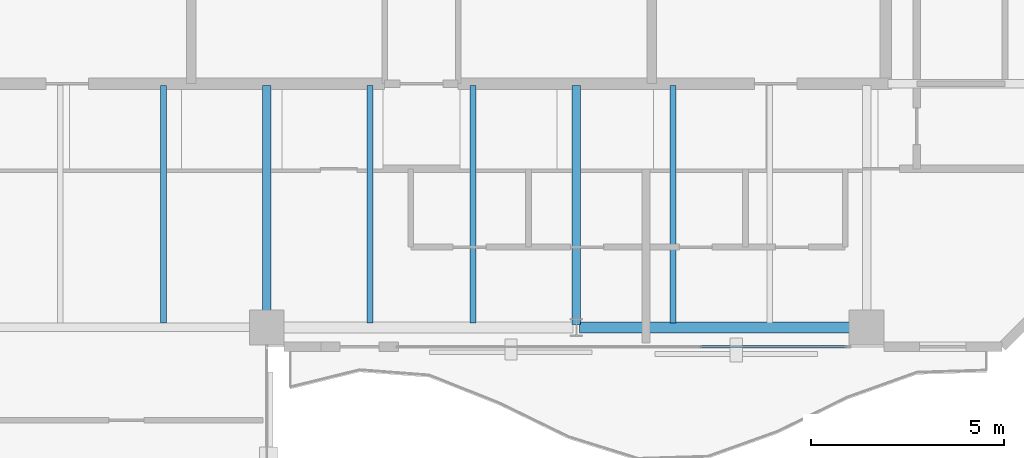
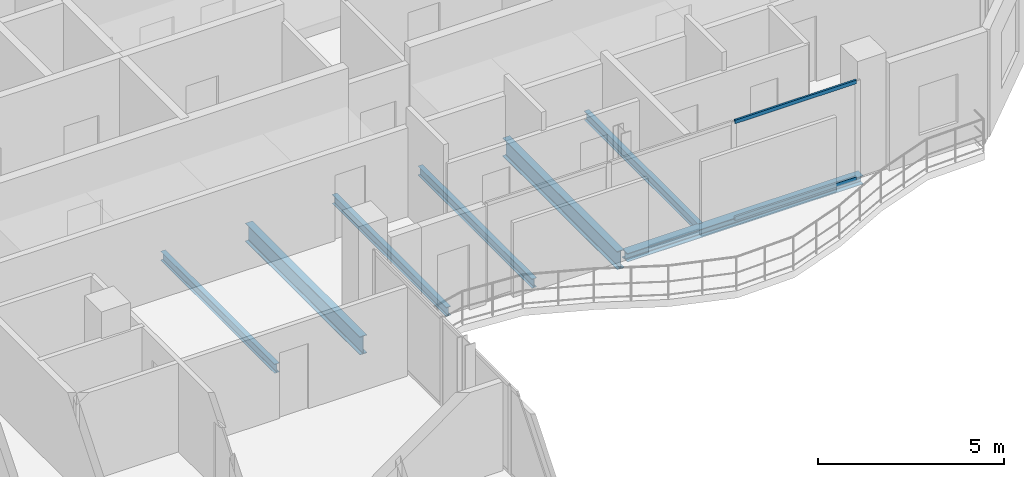
# One storey, part 13 of 22: 7 beams, 2 members, 1 element without a shape of its own.
"""IFC4 building model written with IfcOpenShell, lengths in metres."""

from ifc_helpers import new_model, si_unit, direction, frame, origin, origin_2d, place, context, subcontext, project, spatial, hollow_rectangle, i_section, extrude, material, layer, layer_set, material_profile, profile_set, type_object, element, aggregate, save


model = new_model("IFC4")

# Units and contexts
model_context = context("Model", 3, precision=1e-05, world=origin(), true_north=direction((0.0, 1.0)))
body_context = subcontext(model_context, "Body", "Model", "MODEL_VIEW")
ifc_project = project(units=[si_unit("LENGTHUNIT", "METRE"), si_unit("AREAUNIT", "SQUARE_METRE"), si_unit("VOLUMEUNIT", "CUBIC_METRE"), si_unit("PLANEANGLEUNIT", "RADIAN"), si_unit("MASSUNIT", "GRAM", prefix="KILO")], contexts=[model_context])

# Site, building, storey
site_placement = place(None, origin())
site = spatial("IfcSite", under=ifc_project, at=site_placement, CompositionType="ELEMENT")
building_placement = place(site_placement, origin())
building = spatial("IfcBuilding", under=site, at=building_placement, Name="Catumbela Crestline Tower", CompositionType="ELEMENT")
storey_placement = place(building_placement, frame((0.0, 0.0, 222.2)))
storey = spatial("IfcBuildingStorey", under=building, at=storey_placement, Name="L57", CompositionType="ELEMENT", Elevation=222.2)

# Beams
ifc_material_1 = material(Name="Structural steel S355J2", Category="steel")
ifc_material_profile_1 = material_profile(ifc_material_1, i_section(OverallWidth=0.22, OverallDepth=0.6, WebThickness=0.012, FlangeThickness=0.019, FilletRadius=0.024, at=origin_2d()), Name="IPE 600")
ifc_profile_set_1 = profile_set([ifc_material_profile_1], Name="Structural steel S355J2")
beam_type_1 = type_object("IfcBeamType", Name="BG-IPE600", PredefinedType="BEAM", material=ifc_profile_set_1)
for number, where, z_axis, x_axis, name in (
    (1, (24.0, 24.58, -0.56), (0.0, 1.0, 0.0), (-1.0, 0.0, 0.0), "L57 Beam BM-L57-SNS16"),
    (2, (32.0, 24.58, -0.56), (0.0, 1.0, 0.0), (-1.0, 0.0, 0.0), "L57 Beam BM-L57-SNS17"),
):
    element("IfcBeam", number, at=place(storey_placement, frame(where, z_axis=z_axis, x_axis=x_axis)), inside=storey, type_object=beam_type_1, Name=name, PredefinedType="BEAM", context=body_context, shape_type="SweptSolid", body=[
        extrude(i_section(OverallWidth=0.22, OverallDepth=0.6, WebThickness=0.012, FlangeThickness=0.019, FilletRadius=0.024, at=origin_2d()), origin(), (0.0, 0.0, 1.0), 6.17),
    ])
ifc_material_profile_2 = material_profile(ifc_material_1, i_section(OverallWidth=0.15, OverallDepth=0.3, WebThickness=0.0071, FlangeThickness=0.0107, FilletRadius=0.015, at=origin_2d()), Name="IPE 300")
ifc_profile_set_2 = profile_set([ifc_material_profile_2], Name="Structural steel S355J2")
beam_type_2 = type_object("IfcBeamType", Name="BJ-IPE300", PredefinedType="JOIST", material=ifc_profile_set_2)
for number, where, z_axis, x_axis, name in (
    (3, (21.333, 24.61, -0.41), (0.0, 1.0, 0.0), (-1.0, 0.0, 0.0), "L57 Joist JS-L57-SP22"),
    (4, (26.667, 24.61, -0.41), (0.0, 1.0, 0.0), (-1.0, 0.0, 0.0), "L57 Joist JS-L57-SP23"),
    (5, (29.333, 24.61, -0.41), (0.0, 1.0, 0.0), (-1.0, 0.0, 0.0), "L57 Joist JS-L57-SP24"),
    (6, (34.5, 24.61, -0.41), (0.0, 1.0, 0.0), (-1.0, 0.0, 0.0), "L57 Joist JS-L57-SP25"),
):
    element("IfcBeam", number, at=place(storey_placement, frame(where, z_axis=z_axis, x_axis=x_axis)), inside=storey, type_object=beam_type_2, Name=name, PredefinedType="JOIST", context=body_context, shape_type="SweptSolid", body=[
        extrude(i_section(OverallWidth=0.15, OverallDepth=0.3, WebThickness=0.0071, FlangeThickness=0.0107, FilletRadius=0.015, at=origin_2d()), origin(), (0.0, 0.0, 1.0), 6.14),
    ])
ifc_material_profile_3 = material_profile(ifc_material_1, i_section(OverallWidth=0.28, OverallDepth=0.28, WebThickness=0.0105, FlangeThickness=0.018, FilletRadius=0.024, at=origin_2d()), Name="HEB 280")
ifc_profile_set_3 = profile_set([ifc_material_profile_3], Name="Structural steel S355J2")
beam_type_3 = type_object("IfcBeamType", Name="BS-HEB280", PredefinedType="SPANDREL", material=ifc_profile_set_3)
beam_placement = place(storey_placement, frame((32.08, 24.5, -0.4), z_axis=(1.0, 0.0, 0.0), x_axis=(0.0, 1.0, 0.0)))
element("IfcBeam", 7, at=beam_placement, inside=storey, type_object=beam_type_3, Name="L57 Spandrel SP-L57-S05", PredefinedType="SPANDREL", context=body_context, shape_type="SweptSolid", body=[
    extrude(i_section(OverallWidth=0.28, OverallDepth=0.28, WebThickness=0.0105, FlangeThickness=0.018, FilletRadius=0.024, at=origin_2d()), origin(), (0.0, 0.0, 1.0), 7.34),
])

# Curtain wall, members
ifc_material_2 = material(Name="Aluminium alloy AW-6060-T66", Category="aluminium")
ifc_layer = layer(ifc_material_2, 0.18, Name="Aluminium alloy AW-6060-T66")
ifc_layer_set = layer_set([ifc_layer], Name="Aluminium alloy AW-6060-T66")
curtain_wall_type = type_object("IfcCurtainWallType", Name="CWU-Z4", PredefinedType="USERDEFINED", material=ifc_layer_set)
curtain_wall_placement = place(storey_placement, origin())
curtain_wall = element("IfcCurtainWall", 8, at=curtain_wall_placement, inside=storey, type_object=curtain_wall_type, Name="L57 Unitised Curtain Wall CW-L57-E3S2", ObjectType="UNITISED", PredefinedType="USERDEFINED")
ifc_material_profile_4 = material_profile(ifc_material_2, hollow_rectangle(XDim=0.06, YDim=0.12, WallThickness=0.0035, at=origin_2d()), Name="ALU 120x60x3.5")
ifc_profile_set_4 = profile_set([ifc_material_profile_4], Name="Aluminium alloy AW-6060-T66")
member_type = type_object("IfcMemberType", Name="TRN-120X60", PredefinedType="USERDEFINED", material=ifc_profile_set_4)
member_1_placement = place(storey_placement, frame((35.1992, 24.0, 0.03), z_axis=(1.0, 0.0, 0.0), x_axis=(0.0, 1.0, 0.0)))
member_1 = element("IfcMember", 9, at=member_1_placement, type_object=member_type, Name="CWU-Z4 transom 3.1", ObjectType="TRANSOM", PredefinedType="USERDEFINED", context=body_context, shape_type="SweptSolid", body=[
    extrude(hollow_rectangle(XDim=0.06, YDim=0.12, WallThickness=0.0035, at=origin_2d()), origin(), (0.0, 0.0, 1.0), 3.7858),
])
member_2_placement = place(storey_placement, frame((35.1992, 24.0, 3.21), z_axis=(1.0, 0.0, 0.0), x_axis=(0.0, 1.0, 0.0)))
member_2 = element("IfcMember", 10, at=member_2_placement, type_object=member_type, Name="CWU-Z4 transom 3.2", ObjectType="TRANSOM", PredefinedType="USERDEFINED", context=body_context, shape_type="SweptSolid", body=[
    extrude(hollow_rectangle(XDim=0.06, YDim=0.12, WallThickness=0.0035, at=origin_2d()), origin(), (0.0, 0.0, 1.0), 3.7858),
])
aggregate(curtain_wall, [member_1, member_2])

save(model, "model.ifc")
